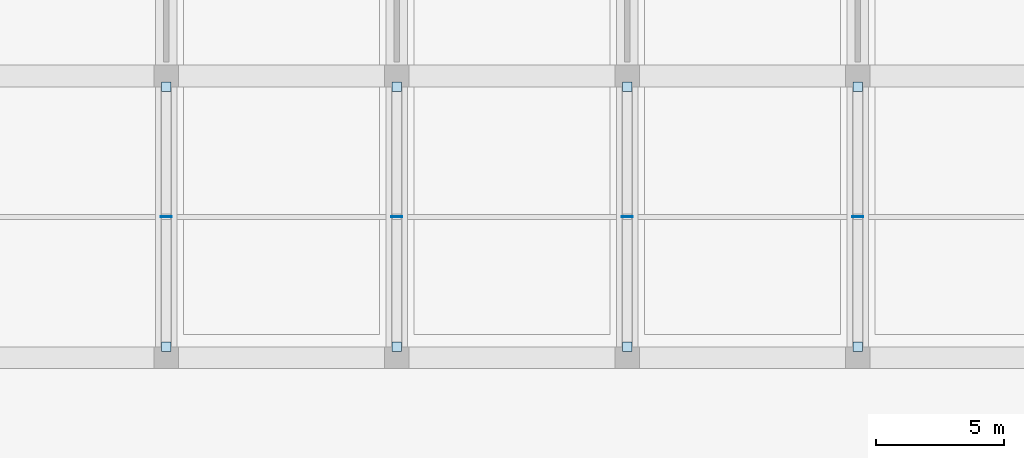
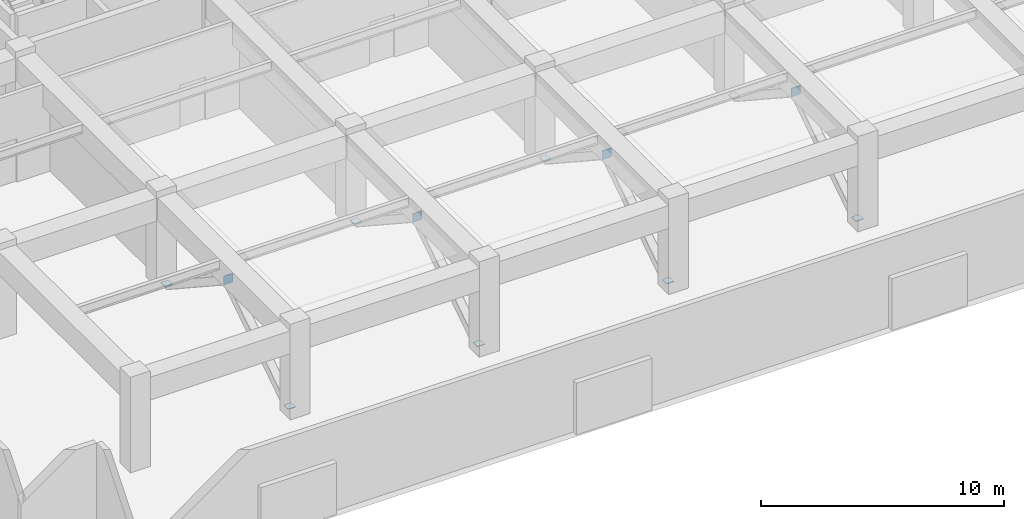
# One storey, part 4 of 21: 12 plates.
"""IFC4 building model written with IfcOpenShell, lengths in metres."""

from ifc_helpers import new_model, si_unit, direction, frame, origin, origin_2d, place, context, subcontext, project, spatial, rectangle, extrude, material, layer, layer_set, type_object, element, save


model = new_model("IFC4")

# Units and contexts
model_context = context("Model", 3, precision=1e-05, world=origin(), true_north=direction((0.0, 1.0)))
body_context = subcontext(model_context, "Body", "Model", "MODEL_VIEW")
ifc_project = project(units=[si_unit("LENGTHUNIT", "METRE"), si_unit("AREAUNIT", "SQUARE_METRE"), si_unit("VOLUMEUNIT", "CUBIC_METRE"), si_unit("PLANEANGLEUNIT", "RADIAN"), si_unit("MASSUNIT", "GRAM", prefix="KILO")], contexts=[model_context])

# Site, building, storey
site_placement = place(None, origin())
site = spatial("IfcSite", under=ifc_project, at=site_placement, CompositionType="ELEMENT")
building_placement = place(site_placement, origin())
building = spatial("IfcBuilding", under=site, at=building_placement, Name="Korimba Cascade Residences", CompositionType="ELEMENT")
storey_placement = place(building_placement, frame((0.0, 0.0, 76.0)))
storey = spatial("IfcBuildingStorey", under=building, at=storey_placement, Name="L21", CompositionType="ELEMENT", Elevation=76.0)

# Plates
ifc_material = material(Name="Steel S460", Category="steel")
ifc_layer = layer(ifc_material, 0.028076171875)
ifc_layer_set = layer_set([ifc_layer], Name="Steel S460")
plate_type = type_object("IfcPlateType", Name="PLT-ENDCAP-28", PredefinedType="USERDEFINED", material=ifc_layer_set)
for number, where, z_axis, x_axis, name in (
    (1, (82.10009765625, 1.300048828125, 3.110107421875), (0.0, 0.0, 1.0), (1.0, 0.0, 0.0), "L21 T2 Outrigger Node Plate ON1 1"),
    (2, (91.10009765625, 1.300048828125, 3.110107421875), (0.0, 0.0, 1.0), (1.0, 0.0, 0.0), "L21 T2 Outrigger Node Plate ON1 2"),
    (3, (100.10009765625, 1.300048828125, 3.110107421875), (0.0, 0.0, 1.0), (1.0, 0.0, 0.0), "L21 T2 Outrigger Node Plate ON1 3"),
    (4, (109.10009765625, 1.300048828125, 3.110107421875), (0.0, 0.0, 1.0), (1.0, 0.0, 0.0), "L21 T2 Outrigger Node Plate ON1 4"),
):
    element("IfcPlate", number, at=place(storey_placement, frame(where, z_axis=z_axis, x_axis=x_axis)), inside=storey, type_object=plate_type, Name=name, ObjectType="CAP PLATE", PredefinedType="USERDEFINED", context=body_context, shape_type="SweptSolid", body=[
        extrude(rectangle(XDim=0.43994140625, YDim=0.028076171875, at=origin_2d()), origin(), (0.0, 0.0, 1.0), 0.43994140625),
    ])
for number, where, z_axis, x_axis, name in (
    (5, (82.10009765625, 6.375, 0.005859375), (0.0, 0.0, 1.0), (1.0, 0.0, 0.0), "L21 Brace Welded End Connection Plate 50"),
    (6, (82.10009765625, -3.77490234375, 0.005859375), (0.0, 0.0, 1.0), (1.0, 0.0, 0.0), "L21 Brace Welded End Connection Plate 51"),
    (7, (91.10009765625, 6.375, 0.005859375), (0.0, 0.0, 1.0), (1.0, 0.0, 0.0), "L21 Brace Welded End Connection Plate 52"),
    (8, (91.10009765625, -3.77490234375, 0.005859375), (0.0, 0.0, 1.0), (1.0, 0.0, 0.0), "L21 Brace Welded End Connection Plate 53"),
    (9, (100.10009765625, 6.375, 0.005859375), (0.0, 0.0, 1.0), (1.0, 0.0, 0.0), "L21 Brace Welded End Connection Plate 54"),
    (10, (100.10009765625, -3.77490234375, 0.005859375), (0.0, 0.0, 1.0), (1.0, 0.0, 0.0), "L21 Brace Welded End Connection Plate 55"),
    (11, (109.10009765625, 6.375, 0.005859375), (0.0, 0.0, 1.0), (1.0, 0.0, 0.0), "L21 Brace Welded End Connection Plate 56"),
    (12, (109.10009765625, -3.77490234375, 0.005859375), (0.0, 0.0, 1.0), (1.0, 0.0, 0.0), "L21 Brace Welded End Connection Plate 57"),
):
    element("IfcPlate", number, at=place(storey_placement, frame(where, z_axis=z_axis, x_axis=x_axis)), inside=storey, type_object=plate_type, Name=name, ObjectType="CAP PLATE", PredefinedType="USERDEFINED", context=body_context, shape_type="SweptSolid", body=[
        extrude(rectangle(XDim=0.360107421875, YDim=0.360107421875, at=origin_2d()), origin(), (0.0, 0.0, 1.0), 0.028076171875),
    ])

save(model, "model.ifc")
